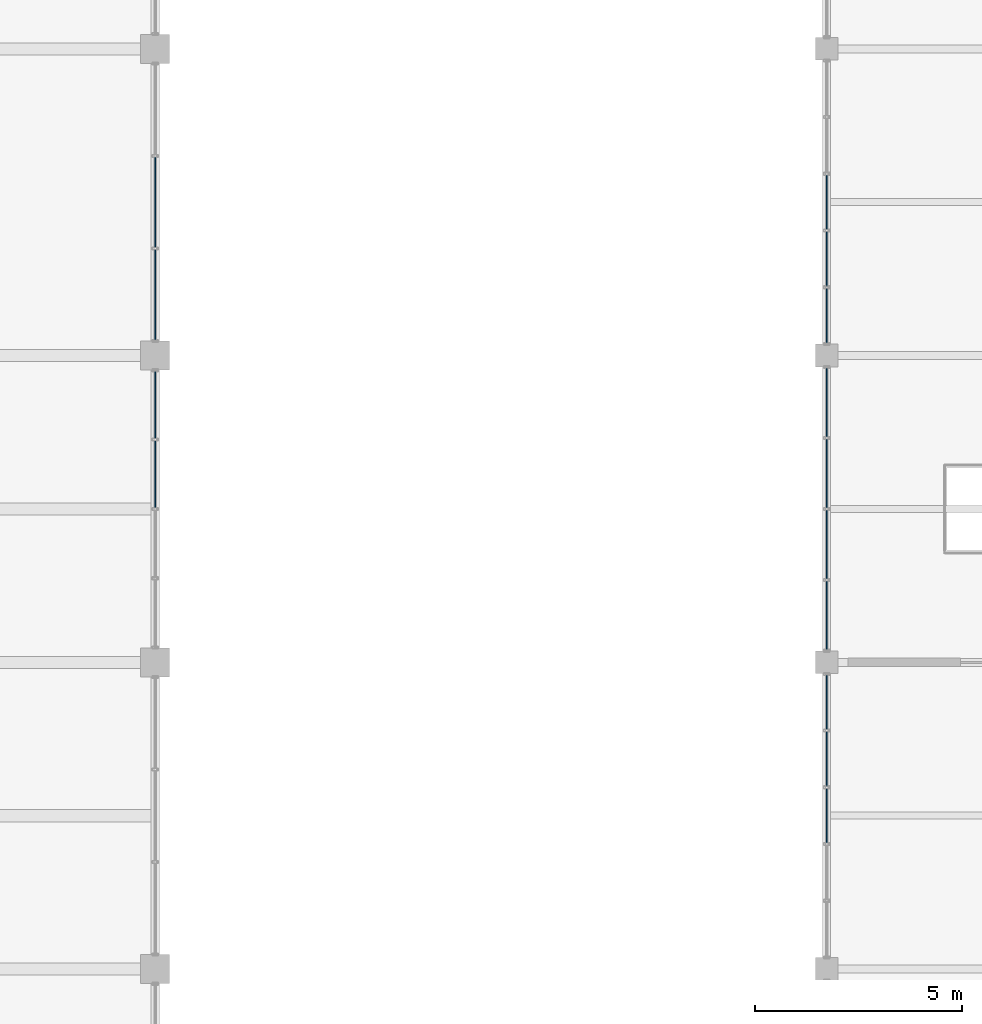
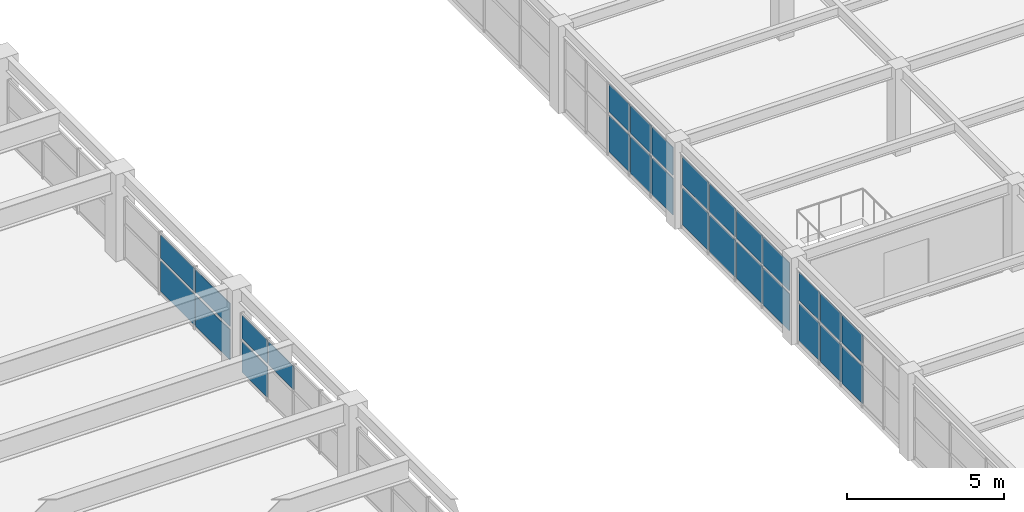
# One storey, part 95 of 121: 27 plates, 5 elements without a shape of their own.
"""IFC4 building model written with IfcOpenShell, lengths in metres."""

from ifc_helpers import new_model, si_unit, direction, frame, origin, origin_2d, place, context, subcontext, project, spatial, rectangle, extrude, material, layer, layer_set, type_object, element, aggregate, save


model = new_model("IFC4")

# Units and contexts
model_context = context("Model", 3, precision=1e-05, world=origin(), true_north=direction((0.0, 1.0)))
body_context = subcontext(model_context, "Body", "Model", "MODEL_VIEW")
ifc_project = project(units=[si_unit("LENGTHUNIT", "METRE"), si_unit("AREAUNIT", "SQUARE_METRE"), si_unit("VOLUMEUNIT", "CUBIC_METRE"), si_unit("PLANEANGLEUNIT", "RADIAN"), si_unit("MASSUNIT", "GRAM", prefix="KILO")], contexts=[model_context])

# Site, building, storey
site_placement = place(None, origin())
site = spatial("IfcSite", under=ifc_project, at=site_placement, CompositionType="ELEMENT")
building_placement = place(site_placement, origin())
building = spatial("IfcBuilding", under=site, at=building_placement, Name="Cimatlan Art Gallery", CompositionType="ELEMENT")
storey_placement = place(building_placement, frame((0.0, 0.0, 10.199951171875)))
storey = spatial("IfcBuildingStorey", under=building, at=storey_placement, Name="L02", CompositionType="ELEMENT", Elevation=10.199951171875)

# Curtain wall, plates
ifc_material_1 = material(Name="Anodised bronze unitised curtain wall")
curtain_wall_type_1 = type_object("IfcCurtainWallType", Name="CW-V-06842X02868-B5", PredefinedType="NOTDEFINED", material=ifc_material_1)
curtain_wall_1_placement = place(storey_placement, origin())
curtain_wall_1 = element("IfcCurtainWall", 1, at=curtain_wall_1_placement, inside=storey, type_object=curtain_wall_type_1, Name="CW-L02-14-08-W", PredefinedType="NOTDEFINED")
ifc_material_2 = material(Name="Low-E insulated double glazing", Category="glass")
ifc_layer_1 = layer(ifc_material_2, 0.028076171875)
ifc_layer_set_1 = layer_set([ifc_layer_1], Name="Low-E insulated double glazing")
plate_type_1 = type_object("IfcPlateType", Name="PNL-1310X1078", PredefinedType="CURTAIN_PANEL", material=ifc_layer_set_1)
plate_1_placement = place(storey_placement, frame((115.39990234375, 61.86328125, 1.66796875), z_axis=(0.0, 0.0, 1.0), x_axis=(0.0, 1.0, 0.0)))
plate_1 = element("IfcPlate", 2, at=plate_1_placement, type_object=plate_type_1, Name="CW-L02-14-08-W-P12", PredefinedType="CURTAIN_PANEL", context=body_context, shape_type="SweptSolid", body=[
    extrude(rectangle(XDim=1.31005859375, YDim=0.028076171875, at=origin_2d()), origin(), (0.0, 0.0, 1.0), 1.077880859375),
])
plate_2_placement = place(storey_placement, frame((115.39990234375, 63.231689453125, 1.66796875), z_axis=(0.0, 0.0, 1.0), x_axis=(0.0, 1.0, 0.0)))
plate_2 = element("IfcPlate", 3, at=plate_2_placement, type_object=plate_type_1, Name="CW-L02-14-08-W-P22", PredefinedType="CURTAIN_PANEL", context=body_context, shape_type="SweptSolid", body=[
    extrude(rectangle(XDim=1.31005859375, YDim=0.028076171875, at=origin_2d()), origin(), (0.0, 0.0, 1.0), 1.077880859375),
])
plate_3_placement = place(storey_placement, frame((115.39990234375, 64.60009765625, 1.66796875), z_axis=(0.0, 0.0, 1.0), x_axis=(0.0, 1.0, 0.0)))
plate_3 = element("IfcPlate", 4, at=plate_3_placement, type_object=plate_type_1, Name="CW-L02-14-08-W-P32", PredefinedType="CURTAIN_PANEL", context=body_context, shape_type="SweptSolid", body=[
    extrude(rectangle(XDim=1.31005859375, YDim=0.028076171875, at=origin_2d()), origin(), (0.0, 0.0, 1.0), 1.077880859375),
])

curtain_wall_type_2 = type_object("IfcCurtainWallType", Name="CW-V-06842X02898-B5", PredefinedType="NOTDEFINED", material=ifc_material_1)
curtain_wall_2_placement = place(storey_placement, origin())
curtain_wall_2 = element("IfcCurtainWall", 5, at=curtain_wall_2_placement, inside=storey, type_object=curtain_wall_type_2, Name="CW-L02-14-06-W", PredefinedType="NOTDEFINED")
ifc_layer_2 = layer(ifc_material_2, 0.028076171875)
ifc_layer_set_2 = layer_set([ifc_layer_2], Name="Low-E insulated double glazing")
plate_type_2 = type_object("IfcPlateType", Name="PNL-1310X1091", PredefinedType="CURTAIN_PANEL", material=ifc_layer_set_2)
plate_4_placement = place(storey_placement, frame((115.39990234375, 49.800048828125, 1.68505859375), z_axis=(0.0, 0.0, 1.0), x_axis=(0.0, 1.0, 0.0)))
plate_4 = element("IfcPlate", 6, at=plate_4_placement, type_object=plate_type_2, Name="CW-L02-14-06-W-P32", PredefinedType="CURTAIN_PANEL", context=body_context, shape_type="SweptSolid", body=[
    extrude(rectangle(XDim=1.31005859375, YDim=0.028076171875, at=origin_2d()), origin(), (0.0, 0.0, 1.0), 1.091064453125),
])
plate_5_placement = place(storey_placement, frame((115.39990234375, 51.16845703125, 1.68505859375), z_axis=(0.0, 0.0, 1.0), x_axis=(0.0, 1.0, 0.0)))
plate_5 = element("IfcPlate", 7, at=plate_5_placement, type_object=plate_type_2, Name="CW-L02-14-06-W-P42", PredefinedType="CURTAIN_PANEL", context=body_context, shape_type="SweptSolid", body=[
    extrude(rectangle(XDim=1.31005859375, YDim=0.028076171875, at=origin_2d()), origin(), (0.0, 0.0, 1.0), 1.091064453125),
])
plate_6_placement = place(storey_placement, frame((115.39990234375, 52.536865234375, 1.68505859375), z_axis=(0.0, 0.0, 1.0), x_axis=(0.0, 1.0, 0.0)))
plate_6 = element("IfcPlate", 8, at=plate_6_placement, type_object=plate_type_2, Name="CW-L02-14-06-W-P52", PredefinedType="CURTAIN_PANEL", context=body_context, shape_type="SweptSolid", body=[
    extrude(rectangle(XDim=1.31005859375, YDim=0.028076171875, at=origin_2d()), origin(), (0.0, 0.0, 1.0), 1.091064453125),
])

# Plate
ifc_layer_3 = layer(ifc_material_2, 0.028076171875)
ifc_layer_set_3 = layer_set([ifc_layer_3], Name="Low-E insulated double glazing")
plate_type_3 = type_object("IfcPlateType", Name="PNL-1310X1422", PredefinedType="CURTAIN_PANEL", material=ifc_layer_set_3)
plate_7_placement = place(storey_placement, frame((115.39990234375, 61.86328125, 0.1220703125), z_axis=(0.0, 0.0, 1.0), x_axis=(0.0, 1.0, 0.0)))
plate_7 = element("IfcPlate", 9, at=plate_7_placement, type_object=plate_type_3, Name="CW-L02-14-08-W-P11", PredefinedType="CURTAIN_PANEL", context=body_context, shape_type="SweptSolid", body=[
    extrude(rectangle(XDim=1.31005859375, YDim=0.028076171875, at=origin_2d()), origin(), (0.0, 0.0, 1.0), 1.422119140625),
])

plate_8_placement = place(storey_placement, frame((115.39990234375, 63.231689453125, 0.1220703125), z_axis=(0.0, 0.0, 1.0), x_axis=(0.0, 1.0, 0.0)))
plate_8 = element("IfcPlate", 10, at=plate_8_placement, type_object=plate_type_3, Name="CW-L02-14-08-W-P21", PredefinedType="CURTAIN_PANEL", context=body_context, shape_type="SweptSolid", body=[
    extrude(rectangle(XDim=1.31005859375, YDim=0.028076171875, at=origin_2d()), origin(), (0.0, 0.0, 1.0), 1.422119140625),
])

plate_9_placement = place(storey_placement, frame((115.39990234375, 64.60009765625, 0.1220703125), z_axis=(0.0, 0.0, 1.0), x_axis=(0.0, 1.0, 0.0)))
plate_9 = element("IfcPlate", 11, at=plate_9_placement, type_object=plate_type_3, Name="CW-L02-14-08-W-P31", PredefinedType="CURTAIN_PANEL", context=body_context, shape_type="SweptSolid", body=[
    extrude(rectangle(XDim=1.31005859375, YDim=0.028076171875, at=origin_2d()), origin(), (0.0, 0.0, 1.0), 1.422119140625),
])

aggregate(curtain_wall_1, [plate_7, plate_1, plate_8, plate_2, plate_9, plate_3])

ifc_layer_4 = layer(ifc_material_2, 0.028076171875)
ifc_layer_set_4 = layer_set([ifc_layer_4], Name="Low-E insulated double glazing")
plate_type_4 = type_object("IfcPlateType", Name="PNL-1310X1439", PredefinedType="CURTAIN_PANEL", material=ifc_layer_set_4)
plate_10_placement = place(storey_placement, frame((115.39990234375, 49.800048828125, 0.1220703125), z_axis=(0.0, 0.0, 1.0), x_axis=(0.0, 1.0, 0.0)))
plate_10 = element("IfcPlate", 12, at=plate_10_placement, type_object=plate_type_4, Name="CW-L02-14-06-W-P31", PredefinedType="CURTAIN_PANEL", context=body_context, shape_type="SweptSolid", body=[
    extrude(rectangle(XDim=1.31005859375, YDim=0.028076171875, at=origin_2d()), origin(), (0.0, 0.0, 1.0), 1.43896484375),
])

plate_11_placement = place(storey_placement, frame((115.39990234375, 51.16845703125, 0.1220703125), z_axis=(0.0, 0.0, 1.0), x_axis=(0.0, 1.0, 0.0)))
plate_11 = element("IfcPlate", 13, at=plate_11_placement, type_object=plate_type_4, Name="CW-L02-14-06-W-P41", PredefinedType="CURTAIN_PANEL", context=body_context, shape_type="SweptSolid", body=[
    extrude(rectangle(XDim=1.31005859375, YDim=0.028076171875, at=origin_2d()), origin(), (0.0, 0.0, 1.0), 1.43896484375),
])

plate_12_placement = place(storey_placement, frame((115.39990234375, 52.536865234375, 0.1220703125), z_axis=(0.0, 0.0, 1.0), x_axis=(0.0, 1.0, 0.0)))
plate_12 = element("IfcPlate", 14, at=plate_12_placement, type_object=plate_type_4, Name="CW-L02-14-06-W-P51", PredefinedType="CURTAIN_PANEL", context=body_context, shape_type="SweptSolid", body=[
    extrude(rectangle(XDim=1.31005859375, YDim=0.028076171875, at=origin_2d()), origin(), (0.0, 0.0, 1.0), 1.43896484375),
])

aggregate(curtain_wall_2, [plate_10, plate_4, plate_11, plate_5, plate_12, plate_6])

# Curtain wall, plates
curtain_wall_type_3 = type_object("IfcCurtainWallType", Name="CW-V-06692X02449-B4", PredefinedType="NOTDEFINED", material=ifc_material_1)
curtain_wall_3_placement = place(storey_placement, origin())
curtain_wall_3 = element("IfcCurtainWall", 15, at=curtain_wall_3_placement, inside=storey, type_object=curtain_wall_type_3, Name="CW-L02-11-07-E", PredefinedType="NOTDEFINED")
ifc_layer_5 = layer(ifc_material_2, 0.028076171875)
ifc_layer_set_5 = layer_set([ifc_layer_5], Name="Low-E insulated double glazing")
plate_type_5 = type_object("IfcPlateType", Name="PNL-1615X0894", PredefinedType="CURTAIN_PANEL", material=ifc_layer_set_5)
plate_13_placement = place(storey_placement, frame((99.199951171875, 59.70947265625, 1.43310546875), z_axis=(0.0, 0.0, 1.0), x_axis=(0.0, -1.0, 0.0)))
plate_13 = element("IfcPlate", 16, at=plate_13_placement, type_object=plate_type_5, Name="CW-L02-11-07-E-P12", PredefinedType="CURTAIN_PANEL", context=body_context, shape_type="SweptSolid", body=[
    extrude(rectangle(XDim=1.614990234375, YDim=0.028076171875, at=origin_2d()), origin(), (0.0, 0.0, 1.0), 0.89404296875),
])
plate_14_placement = place(storey_placement, frame((99.199951171875, 58.03662109375, 1.43310546875), z_axis=(0.0, 0.0, 1.0), x_axis=(0.0, -1.0, 0.0)))
plate_14 = element("IfcPlate", 17, at=plate_14_placement, type_object=plate_type_5, Name="CW-L02-11-07-E-P22", PredefinedType="CURTAIN_PANEL", context=body_context, shape_type="SweptSolid", body=[
    extrude(rectangle(XDim=1.614990234375, YDim=0.028076171875, at=origin_2d()), origin(), (0.0, 0.0, 1.0), 0.89404296875),
])
ifc_layer_6 = layer(ifc_material_2, 0.028076171875)
ifc_layer_set_6 = layer_set([ifc_layer_6], Name="Low-E insulated double glazing")
plate_type_6 = type_object("IfcPlateType", Name="PNL-1615X1187", PredefinedType="CURTAIN_PANEL", material=ifc_layer_set_6)
plate_15_placement = place(storey_placement, frame((99.199951171875, 59.70947265625, 0.122314453125), z_axis=(0.0, 0.0, 1.0), x_axis=(0.0, -1.0, 0.0)))
plate_15 = element("IfcPlate", 18, at=plate_15_placement, type_object=plate_type_6, Name="CW-L02-11-07-E-P11", PredefinedType="CURTAIN_PANEL", context=body_context, shape_type="SweptSolid", body=[
    extrude(rectangle(XDim=1.614990234375, YDim=0.028076171875, at=origin_2d()), origin(), (0.0, 0.0, 1.0), 1.18701171875),
])
aggregate(curtain_wall_3, [plate_15, plate_13, plate_14])

curtain_wall_type_4 = type_object("IfcCurtainWallType", Name="CW-V-06842X02883-B4", PredefinedType="NOTDEFINED", material=ifc_material_1)
curtain_wall_4_placement = place(storey_placement, origin())
curtain_wall_4 = element("IfcCurtainWall", 19, at=curtain_wall_4_placement, inside=storey, type_object=curtain_wall_type_4, Name="CW-L02-14-07-W", PredefinedType="NOTDEFINED")
ifc_layer_7 = layer(ifc_material_2, 0.028076171875)
ifc_layer_set_7 = layer_set([ifc_layer_7], Name="Low-E insulated double glazing")
plate_type_7 = type_object("IfcPlateType", Name="PNL-1652X1085", PredefinedType="CURTAIN_PANEL", material=ifc_layer_set_7)
plate_16_placement = place(storey_placement, frame((115.39990234375, 54.63427734375, 1.67626953125), z_axis=(0.0, 0.0, 1.0), x_axis=(0.0, 1.0, 0.0)))
plate_16 = element("IfcPlate", 20, at=plate_16_placement, type_object=plate_type_7, Name="CW-L02-14-07-W-P12", PredefinedType="CURTAIN_PANEL", context=body_context, shape_type="SweptSolid", body=[
    extrude(rectangle(XDim=1.652099609375, YDim=0.028076171875, at=origin_2d()), origin(), (0.0, 0.0, 1.0), 1.0849609375),
])
plate_17_placement = place(storey_placement, frame((115.39990234375, 56.3447265625, 1.67626953125), z_axis=(0.0, 0.0, 1.0), x_axis=(0.0, 1.0, 0.0)))
plate_17 = element("IfcPlate", 21, at=plate_17_placement, type_object=plate_type_7, Name="CW-L02-14-07-W-P22", PredefinedType="CURTAIN_PANEL", context=body_context, shape_type="SweptSolid", body=[
    extrude(rectangle(XDim=1.652099609375, YDim=0.028076171875, at=origin_2d()), origin(), (0.0, 0.0, 1.0), 1.0849609375),
])
plate_18_placement = place(storey_placement, frame((115.39990234375, 58.05517578125, 1.67626953125), z_axis=(0.0, 0.0, 1.0), x_axis=(0.0, 1.0, 0.0)))
plate_18 = element("IfcPlate", 22, at=plate_18_placement, type_object=plate_type_7, Name="CW-L02-14-07-W-P32", PredefinedType="CURTAIN_PANEL", context=body_context, shape_type="SweptSolid", body=[
    extrude(rectangle(XDim=1.652099609375, YDim=0.028076171875, at=origin_2d()), origin(), (0.0, 0.0, 1.0), 1.0849609375),
])
plate_19_placement = place(storey_placement, frame((115.39990234375, 59.765869140625, 1.67626953125), z_axis=(0.0, 0.0, 1.0), x_axis=(0.0, 1.0, 0.0)))
plate_19 = element("IfcPlate", 23, at=plate_19_placement, type_object=plate_type_7, Name="CW-L02-14-07-W-P42", PredefinedType="CURTAIN_PANEL", context=body_context, shape_type="SweptSolid", body=[
    extrude(rectangle(XDim=1.652099609375, YDim=0.028076171875, at=origin_2d()), origin(), (0.0, 0.0, 1.0), 1.0849609375),
])
ifc_layer_8 = layer(ifc_material_2, 0.028076171875)
ifc_layer_set_8 = layer_set([ifc_layer_8], Name="Low-E insulated double glazing")
plate_type_8 = type_object("IfcPlateType", Name="PNL-1652X1431", PredefinedType="CURTAIN_PANEL", material=ifc_layer_set_8)
plate_20_placement = place(storey_placement, frame((115.39990234375, 54.63427734375, 0.1220703125), z_axis=(0.0, 0.0, 1.0), x_axis=(0.0, 1.0, 0.0)))
plate_20 = element("IfcPlate", 24, at=plate_20_placement, type_object=plate_type_8, Name="CW-L02-14-07-W-P11", PredefinedType="CURTAIN_PANEL", context=body_context, shape_type="SweptSolid", body=[
    extrude(rectangle(XDim=1.652099609375, YDim=0.028076171875, at=origin_2d()), origin(), (0.0, 0.0, 1.0), 1.430908203125),
])
plate_21_placement = place(storey_placement, frame((115.39990234375, 56.3447265625, 0.1220703125), z_axis=(0.0, 0.0, 1.0), x_axis=(0.0, 1.0, 0.0)))
plate_21 = element("IfcPlate", 25, at=plate_21_placement, type_object=plate_type_8, Name="CW-L02-14-07-W-P21", PredefinedType="CURTAIN_PANEL", context=body_context, shape_type="SweptSolid", body=[
    extrude(rectangle(XDim=1.652099609375, YDim=0.028076171875, at=origin_2d()), origin(), (0.0, 0.0, 1.0), 1.430908203125),
])
plate_22_placement = place(storey_placement, frame((115.39990234375, 58.05517578125, 0.1220703125), z_axis=(0.0, 0.0, 1.0), x_axis=(0.0, 1.0, 0.0)))
plate_22 = element("IfcPlate", 26, at=plate_22_placement, type_object=plate_type_8, Name="CW-L02-14-07-W-P31", PredefinedType="CURTAIN_PANEL", context=body_context, shape_type="SweptSolid", body=[
    extrude(rectangle(XDim=1.652099609375, YDim=0.028076171875, at=origin_2d()), origin(), (0.0, 0.0, 1.0), 1.430908203125),
])
plate_23_placement = place(storey_placement, frame((115.39990234375, 59.765869140625, 0.1220703125), z_axis=(0.0, 0.0, 1.0), x_axis=(0.0, 1.0, 0.0)))
plate_23 = element("IfcPlate", 27, at=plate_23_placement, type_object=plate_type_8, Name="CW-L02-14-07-W-P41", PredefinedType="CURTAIN_PANEL", context=body_context, shape_type="SweptSolid", body=[
    extrude(rectangle(XDim=1.652099609375, YDim=0.028076171875, at=origin_2d()), origin(), (0.0, 0.0, 1.0), 1.430908203125),
])
aggregate(curtain_wall_4, [plate_20, plate_16, plate_21, plate_17, plate_22, plate_18, plate_23, plate_19])

curtain_wall_type_5 = type_object("IfcCurtainWallType", Name="CW-V-06692X02434-B3", PredefinedType="NOTDEFINED", material=ifc_material_1)
curtain_wall_5_placement = place(storey_placement, origin())
curtain_wall_5 = element("IfcCurtainWall", 28, at=curtain_wall_5_placement, inside=storey, type_object=curtain_wall_type_5, Name="CW-L02-11-08-E", PredefinedType="NOTDEFINED")
ifc_layer_9 = layer(ifc_material_2, 0.028076171875)
ifc_layer_set_9 = layer_set([ifc_layer_9], Name="Low-E insulated double glazing")
plate_type_9 = type_object("IfcPlateType", Name="PNL-2173X0887", PredefinedType="CURTAIN_PANEL", material=ifc_layer_set_9)
plate_24_placement = place(storey_placement, frame((99.199951171875, 64.60009765625, 1.42529296875), z_axis=(0.0, 0.0, 1.0), x_axis=(0.0, -1.0, 0.0)))
plate_24 = element("IfcPlate", 29, at=plate_24_placement, type_object=plate_type_9, Name="CW-L02-11-08-E-P22", PredefinedType="CURTAIN_PANEL", context=body_context, shape_type="SweptSolid", body=[
    extrude(rectangle(XDim=2.173095703125, YDim=0.028076171875, at=origin_2d()), origin(), (0.0, 0.0, 1.0), 0.886962890625),
])
plate_25_placement = place(storey_placement, frame((99.199951171875, 62.369384765625, 1.42529296875), z_axis=(0.0, 0.0, 1.0), x_axis=(0.0, -1.0, 0.0)))
plate_25 = element("IfcPlate", 30, at=plate_25_placement, type_object=plate_type_9, Name="CW-L02-11-08-E-P32", PredefinedType="CURTAIN_PANEL", context=body_context, shape_type="SweptSolid", body=[
    extrude(rectangle(XDim=2.173095703125, YDim=0.028076171875, at=origin_2d()), origin(), (0.0, 0.0, 1.0), 0.886962890625),
])
ifc_layer_10 = layer(ifc_material_2, 0.028076171875)
ifc_layer_set_10 = layer_set([ifc_layer_10], Name="Low-E insulated double glazing")
plate_type_10 = type_object("IfcPlateType", Name="PNL-2173X1179", PredefinedType="CURTAIN_PANEL", material=ifc_layer_set_10)
plate_26_placement = place(storey_placement, frame((99.199951171875, 64.60009765625, 0.1220703125), z_axis=(0.0, 0.0, 1.0), x_axis=(0.0, -1.0, 0.0)))
plate_26 = element("IfcPlate", 31, at=plate_26_placement, type_object=plate_type_10, Name="CW-L02-11-08-E-P21", PredefinedType="CURTAIN_PANEL", context=body_context, shape_type="SweptSolid", body=[
    extrude(rectangle(XDim=2.173095703125, YDim=0.028076171875, at=origin_2d()), origin(), (0.0, 0.0, 1.0), 1.178955078125),
])
plate_27_placement = place(storey_placement, frame((99.199951171875, 62.369384765625, 0.1220703125), z_axis=(0.0, 0.0, 1.0), x_axis=(0.0, -1.0, 0.0)))
plate_27 = element("IfcPlate", 32, at=plate_27_placement, type_object=plate_type_10, Name="CW-L02-11-08-E-P31", PredefinedType="CURTAIN_PANEL", context=body_context, shape_type="SweptSolid", body=[
    extrude(rectangle(XDim=2.173095703125, YDim=0.028076171875, at=origin_2d()), origin(), (0.0, 0.0, 1.0), 1.178955078125),
])
aggregate(curtain_wall_5, [plate_26, plate_24, plate_27, plate_25])

save(model, "model.ifc")
